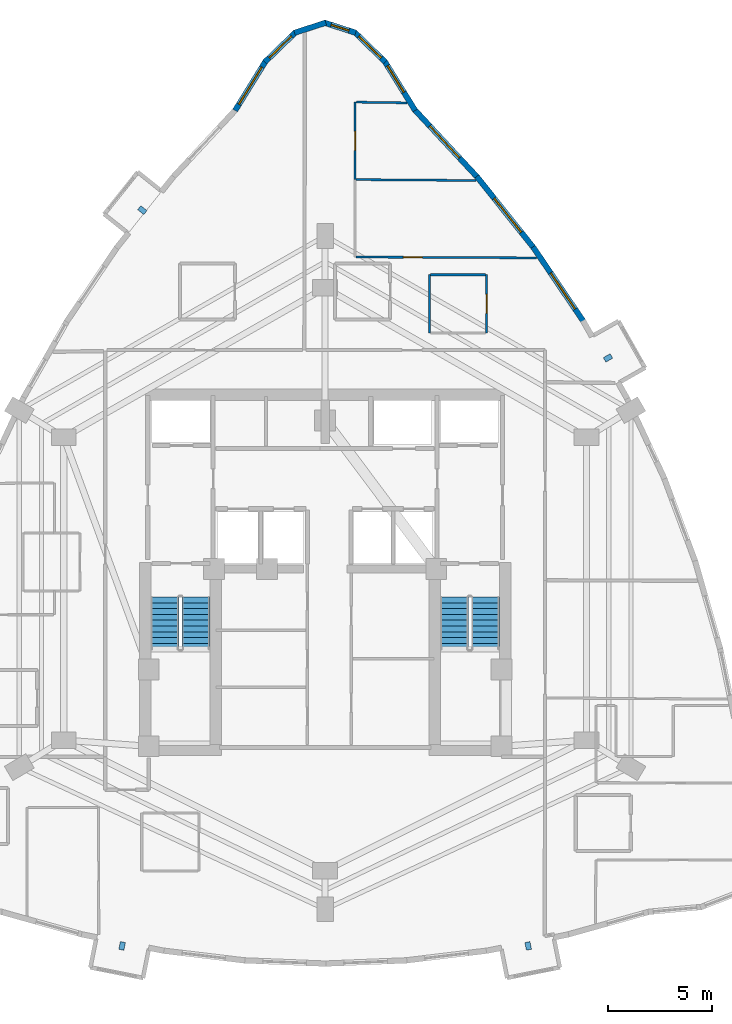
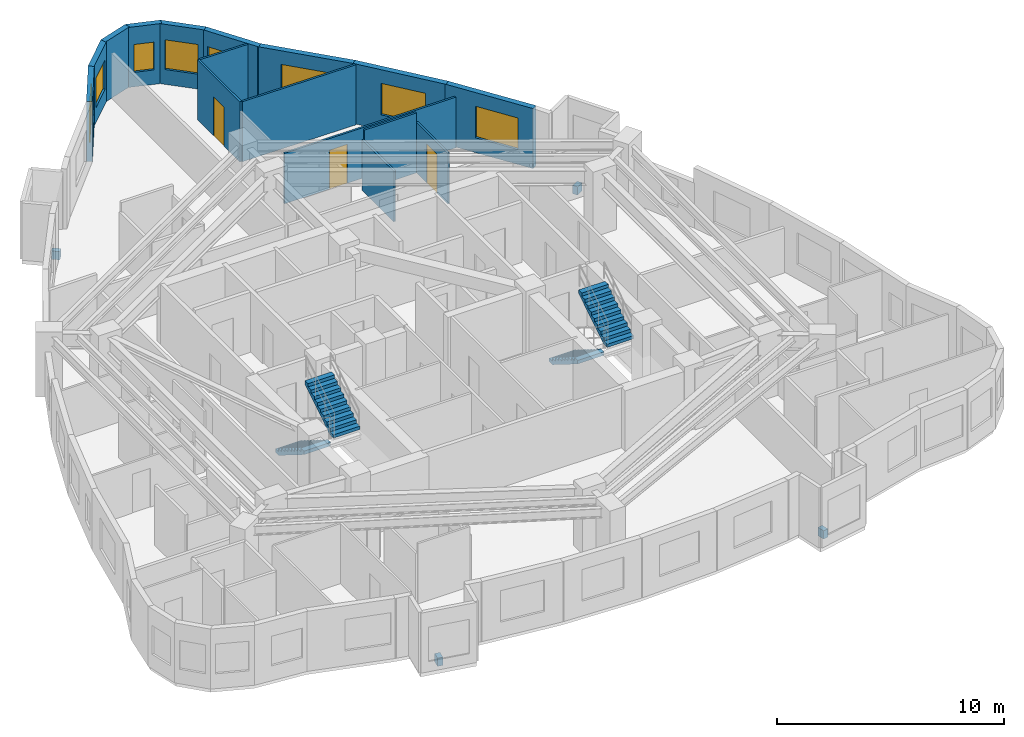
# One storey, part 10 of 11: 16 walls, 8 windows, 4 discrete accessories, 4 stair flights, 3 doors, 11 openings, 2 elements without a shape of their own.
"""IFC4 building model written with IfcOpenShell, lengths in metres."""

import ifcopenshell
import ifcopenshell.guid

model = None  # the IFC model being written
_history = None  # IfcOwnerHistory: only IFC2X3 demands one
_inside = {}  # id of a spatial element -> (the spatial element, [elements in it])
_under = {}  # id of a project, library or spatial element -> (it, [spatial elements below it])
_declared = {}  # id of a project -> (the project, [libraries it declares])
_typed = {}  # id of a type object -> (the type object, [elements of that type])
_made_of = {}  # id of a material, layer set ... -> (it, [elements and type objects made of it])


def new_model(schema):
    """Start an empty IFC model of exactly this schema.

    Asked for "IFC4X3", IfcOpenShell would pick the latest addendum, in which some entities
    have other attributes; the version numbers below select the first issue.
    IFC2X3 requires an IfcOwnerHistory on every rooted entity: one is made here for all.
    """
    global model, _history
    if schema == "IFC4X3":
        model = ifcopenshell.file(schema_version=(4, 3, 0, 0))
    else:
        model = ifcopenshell.file(schema=schema)
    _inside.clear()
    _under.clear()
    _declared.clear()
    _typed.clear()
    _made_of.clear()
    _history = None
    if model.schema == "IFC2X3":
        org = make("IfcOrganization", Name="unknown")
        user = make(
            "IfcPersonAndOrganization",
            ThePerson=make("IfcPerson", FamilyName="unknown"),
            TheOrganization=org,
        )
        app = make(
            "IfcApplication",
            ApplicationDeveloper=org,
            Version="unknown",
            ApplicationFullName="unknown",
            ApplicationIdentifier="unknown",
        )
        _history = make(
            "IfcOwnerHistory",
            OwningUser=user,
            OwningApplication=app,
            ChangeAction="ADDED",
            CreationDate=0,
        )
    return model


def make(cls, **values):
    """One entity of the class cls with the attributes given. An attribute that is None is left unset."""
    return model.create_entity(
        cls, **{name: value for name, value in values.items() if value is not None}
    )


def rooted(cls, **values):
    """An entity with a GlobalId (a new one), such as an element, a storey or a relation."""
    return make(cls, GlobalId=ifcopenshell.guid.new(), OwnerHistory=_history, **values)


def si_unit(unit_type, name, prefix=None):
    """IfcSIUnit, for example si_unit("LENGTHUNIT", "METRE", prefix="MILLI")."""
    return make("IfcSIUnit", UnitType=unit_type, Prefix=prefix, Name=name)


def assignment(units):
    """IfcUnitAssignment: the units of a project."""
    return None if units is None else make("IfcUnitAssignment", Units=units)


def point(xyz):
    """IfcCartesianPoint."""
    return None if xyz is None else make("IfcCartesianPoint", Coordinates=xyz)


def direction(xyz):
    """IfcDirection."""
    return None if xyz is None else make("IfcDirection", DirectionRatios=xyz)


def frame(location, z_axis=None, x_axis=None):
    """IfcAxis2Placement3D, a coordinate frame: its origin and axes. An axis left out is left unset."""
    return make(
        "IfcAxis2Placement3D",
        Location=point(location),
        Axis=direction(z_axis),
        RefDirection=direction(x_axis),
    )


def frame_2d(location, x_axis=None):
    """IfcAxis2Placement2D, a coordinate frame in the plane: its origin and x axis."""
    return make(
        "IfcAxis2Placement2D", Location=point(location), RefDirection=direction(x_axis)
    )


def origin():
    """The frame at (0, 0, 0) with its axes left unset."""
    return frame((0.0, 0.0, 0.0))


def origin_2d():
    """The frame at (0, 0) in the plane with its x axis left unset."""
    return frame_2d((0.0, 0.0))


def place(relative_to, where):
    """IfcLocalPlacement: puts the frame where relative to a parent placement (None: the world)."""
    return make(
        "IfcLocalPlacement", PlacementRelTo=relative_to, RelativePlacement=where
    )


def context(
    kind, dimensions, precision=None, world=None, true_north=None, identifier=None
):
    """IfcGeometricRepresentationContext, for example the 3D "Model" context."""
    return make(
        "IfcGeometricRepresentationContext",
        ContextIdentifier=identifier,
        ContextType=kind,
        CoordinateSpaceDimension=dimensions,
        Precision=precision,
        WorldCoordinateSystem=world,
        TrueNorth=true_north,
    )


def subcontext(parent, identifier, kind, view, scale=None):
    """IfcGeometricRepresentationSubContext, for example "Body" below "Model"."""
    return make(
        "IfcGeometricRepresentationSubContext",
        ContextIdentifier=identifier,
        ContextType=kind,
        ParentContext=parent,
        TargetScale=scale,
        TargetView=view,
    )


def project(units=None, contexts=None):
    """IfcProject with its units and contexts."""
    return rooted(
        "IfcProject",
        Name="project",
        RepresentationContexts=contexts,
        UnitsInContext=assignment(units),
    )


def spatial(cls, under=None, at=None, **own):
    """A site, building, storey or space (cls), placed at a placement, below another one or the project."""
    s = rooted(cls, ObjectPlacement=at, **own)
    if under is not None:
        _under.setdefault(under.id(), (under, []))[1].append(s)
    return s


def polyline(points):
    """IfcPolyline through the points."""
    return make("IfcPolyline", Points=[point(p) for p in points])


def profile(cls, at=None, kind="AREA", **sizes):
    """A parametric profile (cls). Its sizes go by their IFC names, for example OverallWidth=200.0."""
    return make(cls, ProfileType=kind, Position=at, **sizes)


def rectangle(**sizes):
    """IfcRectangleProfileDef."""
    return profile("IfcRectangleProfileDef", **sizes)


def outline(outer, holes=None, kind="AREA"):
    """IfcArbitraryClosedProfileDef: a profile drawn as a closed curve; with holes, ...WithVoids."""
    if holes is None:
        return make("IfcArbitraryClosedProfileDef", ProfileType=kind, OuterCurve=outer)
    return make(
        "IfcArbitraryProfileDefWithVoids",
        ProfileType=kind,
        OuterCurve=outer,
        InnerCurves=holes,
    )


def extrude(swept, where, along, depth):
    """IfcExtrudedAreaSolid: the profile swept, set in the frame where, extruded along a direction by depth."""
    return make(
        "IfcExtrudedAreaSolid",
        SweptArea=swept,
        Position=where,
        ExtrudedDirection=direction(along),
        Depth=depth,
    )


def shape(context_of_items, identifier, shape_type, items):
    """IfcShapeRepresentation: the items that make up one representation, for example the "Body"."""
    return make(
        "IfcShapeRepresentation",
        ContextOfItems=context_of_items,
        RepresentationIdentifier=identifier,
        RepresentationType=shape_type,
        Items=items,
    )


def material(Name=None, Category=None):
    """IfcMaterial."""
    return make("IfcMaterial", Name=Name, Category=Category)


def layer(
    of_material, thickness, ventilated=None, Name=None, Category=None, Priority=None
):
    """IfcMaterialLayer: one layer of a wall or slab, of a material (None: an air gap)."""
    return make(
        "IfcMaterialLayer",
        Material=of_material,
        LayerThickness=thickness,
        IsVentilated=ventilated,
        Name=Name,
        Category=Category,
        Priority=Priority,
    )


def layer_set(layers, Name=None):
    """IfcMaterialLayerSet."""
    return make("IfcMaterialLayerSet", MaterialLayers=layers, LayerSetName=Name)


def made_of(thing, what):
    """Note that an element or type object is made of a material, layer set ...; save() writes the relation."""
    if what is not None:
        _made_of.setdefault(what.id(), (what, []))[1].append(thing)
    return thing


def type_object(cls, material=None, **own):
    """A type object (cls), such as IfcWallType, which elements share."""
    return made_of(rooted(cls, **own), material)


def element(
    cls,
    number,
    at=None,
    inside=None,
    cuts=None,
    type_object=None,
    material=None,
    context=None,
    identifier="Body",
    shape_type=None,
    held_by="IfcProductDefinitionShape",
    body=None,
    shapes=None,
    **own,
):
    """One element of the class cls, such as IfcWall. Its Tag is "e" and its number.

    at: its placement. inside: the storey or other place that contains it. cuts: it is an
    opening in that element (IfcRelVoidsElement). A single representation is given by context,
    identifier, shape_type and body (its items); several are given by shapes. held_by: the class
    of the entity that holds the representations. save() writes the other relations.
    """
    e = rooted(cls, Tag="e%d" % number, ObjectPlacement=at, **own)
    if body is not None:
        shapes = [shape(context, identifier, shape_type, body)]
    if shapes is not None:
        e.Representation = make(held_by, Representations=shapes)
    if inside is not None:
        _inside.setdefault(inside.id(), (inside, []))[1].append(e)
    if cuts is not None:
        rooted(
            "IfcRelVoidsElement", RelatingBuildingElement=cuts, RelatedOpeningElement=e
        )
    if type_object is not None:
        _typed.setdefault(type_object.id(), (type_object, []))[1].append(e)
    return made_of(e, material)


def fill(opening, filler):
    """IfcRelFillsElement: the door or window that sits in an opening."""
    return rooted(
        "IfcRelFillsElement",
        RelatingOpeningElement=opening,
        RelatedBuildingElement=filler,
    )


def aggregate(whole, parts):
    """IfcRelAggregates: a whole, such as a stair, and the parts it consists of."""
    return rooted("IfcRelAggregates", RelatingObject=whole, RelatedObjects=parts)


def save(model, path):
    """Write the relations noted so far, then the file.

    IfcRelAggregates (storeys below a building ...), IfcRelContainedInSpatialStructure (elements
    in a storey), IfcRelDefinesByType, IfcRelAssociatesMaterial and IfcRelDeclares: one each for
    every whole, place, type object, material and project.
    """
    for whole, parts in _under.values():
        aggregate(whole, parts)
    for where, things in _inside.values():
        rooted(
            "IfcRelContainedInSpatialStructure",
            RelatedElements=things,
            RelatingStructure=where,
        )
    for kind, things in _typed.values():
        rooted("IfcRelDefinesByType", RelatedObjects=things, RelatingType=kind)
    for what, things in _made_of.values():
        rooted("IfcRelAssociatesMaterial", RelatedObjects=things, RelatingMaterial=what)
    for by, libraries in _declared.values():
        rooted("IfcRelDeclares", RelatingContext=by, RelatedDefinitions=libraries)
    model.write(path)


model = new_model("IFC4")

# Units and contexts
model_context = context("Model", 3, precision=1e-05, world=origin(), true_north=direction((0.0, 1.0)))
body_context = subcontext(model_context, "Body", "Model", "MODEL_VIEW")
ifc_project = project(units=[si_unit("LENGTHUNIT", "METRE"), si_unit("AREAUNIT", "SQUARE_METRE"), si_unit("VOLUMEUNIT", "CUBIC_METRE"), si_unit("PLANEANGLEUNIT", "RADIAN"), si_unit("MASSUNIT", "GRAM", prefix="KILO")], contexts=[model_context])

# Site, building, storey
site_placement = place(None, origin())
site = spatial("IfcSite", under=ifc_project, at=site_placement, CompositionType="ELEMENT")
building_placement = place(site_placement, origin())
building = spatial("IfcBuilding", under=site, at=building_placement, Name="Miruveldt Soraemaru", CompositionType="ELEMENT")
storey_placement = place(building_placement, frame((0.0, 0.0, 159.89990234375)))
storey = spatial("IfcBuildingStorey", under=building, at=storey_placement, Name="L44", CompositionType="ELEMENT", Elevation=159.89990234375)

# Wall, opening, window
ifc_material_1 = material(Name="Precast concrete C45/55 (45 MPa)", Category="concrete")
ifc_layer_1 = layer(ifc_material_1, 0.27001953125, Name="Precast concrete C45/55 (45 MPa)", Category="concrete")
ifc_layer_set_1 = layer_set([ifc_layer_1], Name="Precast concrete C45/55 (45 MPa)")
wall_type_1 = type_object("IfcWallType", Name="WALL-EXT-PC270", PredefinedType="SOLIDWALL", material=ifc_layer_set_1)
wall_1_placement = place(storey_placement, frame((48.339599609375, 66.14794921875, 0.0), z_axis=(0.0, 0.0, 1.0), x_axis=(-0.526109148916, 0.850417052644, 0.0)))
wall_1 = element("IfcWall", 1, at=wall_1_placement, inside=storey, type_object=wall_type_1, Name="L44 Precast Concrete Facade Wall 1", PredefinedType="SOLIDWALL", context=body_context, shape_type="SweptSolid", body=[
    extrude(rectangle(XDim=2.807861328125, YDim=0.27001953125, at=frame_2d((1.40380859375, 0.0))), origin(), (0.0, 0.0, 1.0), 3.235107421875),
])
opening_1_placement = place(wall_1_placement, frame((1.035888671875, 0.0, 0.800048828125)))
opening_1 = element("IfcOpeningElement", 2, at=opening_1_placement, cuts=wall_1, Name="Opening WN-3", PredefinedType="OPENING", context=body_context, shape_type="SweptSolid", body=[
    extrude(rectangle(XDim=1.5, YDim=1.60009765625, at=frame_2d((0.75, 0.800048828125))), frame((0.0, 0.14501953125, 0.0), z_axis=(0.0, -1.0, 0.0), x_axis=(1.0, 0.0, 0.0)), (0.0, 0.0, 1.0), 0.2900390625),
])
ifc_material_2 = material(Name="Triple low-e insulated glazing", Category="glass")
window_type_1 = type_object("IfcWindowType", Name="WIN-PUNCH-1500x1600", PartitioningType="SINGLE_PANEL", PredefinedType="WINDOW", material=ifc_material_2)
window_1_placement = place(opening_1_placement, origin())
window_1 = element("IfcWindow", 3, at=window_1_placement, inside=storey, type_object=window_type_1, Name="L44 Punched Triple-Glazed Window 01.1", OverallHeight=1.60009765625, OverallWidth=1.5, PartitioningType="SINGLE_PANEL", PredefinedType="WINDOW", context=body_context, shape_type="SweptSolid", body=[
    extrude(rectangle(XDim=1.5, YDim=1.60009765625, at=frame_2d((0.75, 0.800048828125))), frame((0.0, 0.030029296875, 0.0), z_axis=(0.0, -1.0, 0.0), x_axis=(1.0, 0.0, 0.0)), (0.0, 0.0, 1.0), 0.06005859375),
])
fill(opening_1, window_1)

wall_2_placement = place(storey_placement, frame((46.906005859375, 68.481689453125, 0.0), z_axis=(0.0, 0.0, 1.0), x_axis=(-0.71778110487, 0.696268831337, 0.0)))
wall_2 = element("IfcWall", 4, at=wall_2_placement, inside=storey, type_object=wall_type_1, Name="L44 Precast Concrete Facade Wall 2", PredefinedType="SOLIDWALL", context=body_context, shape_type="SweptSolid", body=[
    extrude(rectangle(XDim=2.076904296875, YDim=0.27001953125, at=frame_2d((1.03857421875, 0.0))), origin(), (0.0, 0.0, 1.0), 3.235107421875),
])
opening_2_placement = place(wall_2_placement, frame((0.2880859375, 0.0, 0.800048828125)))
opening_2 = element("IfcOpeningElement", 5, at=opening_2_placement, cuts=wall_2, Name="Opening WN-3", PredefinedType="OPENING", context=body_context, shape_type="SweptSolid", body=[
    extrude(rectangle(XDim=1.5, YDim=1.60009765625, at=frame_2d((0.75, 0.800048828125))), frame((0.0, 0.14501953125, 0.0), z_axis=(0.0, -1.0, 0.0), x_axis=(1.0, 0.0, 0.0)), (0.0, 0.0, 1.0), 0.2900390625),
])
window_2_placement = place(opening_2_placement, origin())
window_2 = element("IfcWindow", 6, at=window_2_placement, inside=storey, type_object=window_type_1, Name="L44 Punched Triple-Glazed Window 02.1", OverallHeight=1.60009765625, OverallWidth=1.5, PartitioningType="SINGLE_PANEL", PredefinedType="WINDOW", context=body_context, shape_type="SweptSolid", body=[
    extrude(rectangle(XDim=1.5, YDim=1.60009765625, at=frame_2d((0.75, 0.800048828125))), frame((0.0, 0.030029296875, 0.0), z_axis=(0.0, -1.0, 0.0), x_axis=(1.0, 0.0, 0.0)), (0.0, 0.0, 1.0), 0.06005859375),
])
fill(opening_2, window_2)

wall_3_placement = place(storey_placement, frame((45.4736328125, 69.892578125, 0.0), z_axis=(0.0, 0.0, 1.0), x_axis=(-0.95148169375, 0.307705356566, 0.0)))
wall_3 = element("IfcWall", 7, at=wall_3_placement, inside=storey, type_object=wall_type_1, Name="L44 Precast Concrete Facade Wall 3", PredefinedType="SOLIDWALL", context=body_context, shape_type="SweptSolid", body=[
    extrude(rectangle(XDim=1.583740234375, YDim=0.27001953125, at=frame_2d((0.7919921875, 0.0))), origin(), (0.0, 0.0, 1.0), 3.235107421875),
])
opening_3_placement = place(wall_3_placement, frame((0.342041015625, 0.0, 0.780029296875)))
opening_3 = element("IfcOpeningElement", 8, at=opening_3_placement, cuts=wall_3, Name="Opening WN-7", PredefinedType="OPENING", context=body_context, shape_type="SweptSolid", body=[
    extrude(rectangle(XDim=0.89990234375, YDim=1.5, at=frame_2d((0.449951171875, 0.75))), frame((0.0, 0.14501953125, 0.0), z_axis=(0.0, -1.0, 0.0), x_axis=(1.0, 0.0, 0.0)), (0.0, 0.0, 1.0), 0.2900390625),
])
window_type_2 = type_object("IfcWindowType", Name="WIN-PUNCH-900x1500", PartitioningType="SINGLE_PANEL", PredefinedType="WINDOW", material=ifc_material_2)
window_3_placement = place(opening_3_placement, origin())
window_3 = element("IfcWindow", 9, at=window_3_placement, inside=storey, type_object=window_type_2, Name="L44 Punched Triple-Glazed Window 03.1", OverallHeight=1.5, OverallWidth=0.89990234375, PartitioningType="SINGLE_PANEL", PredefinedType="WINDOW", context=body_context, shape_type="SweptSolid", body=[
    extrude(rectangle(XDim=0.89990234375, YDim=1.5, at=frame_2d((0.449951171875, 0.75))), frame((0.0, 0.030029296875, 0.0), z_axis=(0.0, -1.0, 0.0), x_axis=(1.0, 0.0, 0.0)), (0.0, 0.0, 1.0), 0.06005859375),
])
fill(opening_3, window_3)

# Wall
wall_4_placement = place(storey_placement, frame((44.033203125, 70.3798828125, 0.0), z_axis=(0.0, 0.0, 1.0), x_axis=(-0.95148169375, -0.307705356566, 0.0)))
element("IfcWall", 10, at=wall_4_placement, inside=storey, type_object=wall_type_1, Name="L44 Precast Concrete Facade Wall 4", PredefinedType="SOLIDWALL", context=body_context, shape_type="SweptSolid", body=[
    extrude(rectangle(XDim=1.583740234375, YDim=0.27001953125, at=frame_2d((0.7919921875, 0.0))), origin(), (0.0, 0.0, 1.0), 3.235107421875),
])

# Wall, opening, window
wall_5_placement = place(storey_placement, frame((42.584716796875, 69.927734375, 0.0), z_axis=(0.0, 0.0, 1.0), x_axis=(-0.71778110487, -0.696268831337, 0.0)))
wall_5 = element("IfcWall", 11, at=wall_5_placement, inside=storey, type_object=wall_type_1, Name="L44 Precast Concrete Facade Wall 5", PredefinedType="SOLIDWALL", context=body_context, shape_type="SweptSolid", body=[
    extrude(rectangle(XDim=2.076904296875, YDim=0.27001953125, at=frame_2d((1.03857421875, 0.0))), origin(), (0.0, 0.0, 1.0), 3.235107421875),
])
opening_4_placement = place(wall_5_placement, frame((0.2880859375, 0.0, 0.800048828125)))
opening_4 = element("IfcOpeningElement", 12, at=opening_4_placement, cuts=wall_5, Name="Opening WN-3", PredefinedType="OPENING", context=body_context, shape_type="SweptSolid", body=[
    extrude(rectangle(XDim=1.5, YDim=1.60009765625, at=frame_2d((0.75, 0.800048828125))), frame((0.0, 0.14501953125, 0.0), z_axis=(0.0, -1.0, 0.0), x_axis=(1.0, 0.0, 0.0)), (0.0, 0.0, 1.0), 0.2900390625),
])
window_4_placement = place(opening_4_placement, origin())
window_4 = element("IfcWindow", 13, at=window_4_placement, inside=storey, type_object=window_type_1, Name="L44 Punched Triple-Glazed Window 05.1", OverallHeight=1.60009765625, OverallWidth=1.5, PartitioningType="SINGLE_PANEL", PredefinedType="WINDOW", context=body_context, shape_type="SweptSolid", body=[
    extrude(rectangle(XDim=1.5, YDim=1.60009765625, at=frame_2d((0.75, 0.800048828125))), frame((0.0, 0.030029296875, 0.0), z_axis=(0.0, -1.0, 0.0), x_axis=(1.0, 0.0, 0.0)), (0.0, 0.0, 1.0), 0.06005859375),
])
fill(opening_4, window_4)

wall_6_placement = place(storey_placement, frame((41.1376953125, 68.535888671875, 0.0), z_axis=(0.0, 0.0, 1.0), x_axis=(-0.526109148916, -0.850417052644, 0.0)))
wall_6 = element("IfcWall", 14, at=wall_6_placement, inside=storey, type_object=wall_type_1, Name="L44 Precast Concrete Facade Wall 6", PredefinedType="SOLIDWALL", context=body_context, shape_type="SweptSolid", body=[
    extrude(rectangle(XDim=2.807861328125, YDim=0.27001953125, at=frame_2d((1.40380859375, 0.0))), origin(), (0.0, 0.0, 1.0), 3.235107421875),
])
opening_5_placement = place(wall_6_placement, frame((0.35400390625, 0.0, 0.800048828125)))
opening_5 = element("IfcOpeningElement", 15, at=opening_5_placement, cuts=wall_6, Name="Opening WN-1", PredefinedType="OPENING", context=body_context, shape_type="SweptSolid", body=[
    extrude(rectangle(XDim=2.10009765625, YDim=1.699951171875, at=frame_2d((1.050048828125, 0.85009765625))), frame((0.0, 0.14501953125, 0.0), z_axis=(0.0, -1.0, 0.0), x_axis=(1.0, 0.0, 0.0)), (0.0, 0.0, 1.0), 0.2900390625),
])
window_type_3 = type_object("IfcWindowType", Name="WIN-PUNCH-2100x1700", PartitioningType="SINGLE_PANEL", PredefinedType="WINDOW", material=ifc_material_2)
window_5_placement = place(opening_5_placement, origin())
window_5 = element("IfcWindow", 16, at=window_5_placement, inside=storey, type_object=window_type_3, Name="L44 Punched Triple-Glazed Window 06.1", OverallHeight=1.699951171875, OverallWidth=2.10009765625, PartitioningType="SINGLE_PANEL", PredefinedType="WINDOW", context=body_context, shape_type="SweptSolid", body=[
    extrude(rectangle(XDim=2.10009765625, YDim=1.699951171875, at=frame_2d((1.050048828125, 0.85009765625))), frame((0.0, 0.030029296875, 0.0), z_axis=(0.0, -1.0, 0.0), x_axis=(1.0, 0.0, 0.0)), (0.0, 0.0, 1.0), 0.06005859375),
])
fill(opening_5, window_5)

wall_7_placement = place(storey_placement, frame((56.4638671875, 55.966064453125, 0.0), z_axis=(0.0, 0.0, 1.0), x_axis=(-0.560825848464, 0.827933794271, 0.0)))
wall_7 = element("IfcWall", 17, at=wall_7_placement, inside=storey, type_object=wall_type_1, Name="L44 Precast Concrete Facade Wall 40", PredefinedType="SOLIDWALL", context=body_context, shape_type="SweptSolid", body=[
    extrude(rectangle(XDim=4.35791015625, YDim=0.27001953125, at=frame_2d((2.178955078125, 0.0))), origin(), (0.0, 0.0, 1.0), 3.235107421875),
])
opening_6_placement = place(wall_7_placement, frame((0.739013671875, 0.0, 0.800048828125)))
opening_6 = element("IfcOpeningElement", 18, at=opening_6_placement, cuts=wall_7, Name="Opening WN-1", PredefinedType="OPENING", context=body_context, shape_type="SweptSolid", body=[
    extrude(rectangle(XDim=2.10009765625, YDim=1.699951171875, at=frame_2d((1.050048828125, 0.85009765625))), frame((0.0, 0.14501953125, 0.0), z_axis=(0.0, -1.0, 0.0), x_axis=(1.0, 0.0, 0.0)), (0.0, 0.0, 1.0), 0.2900390625),
])
window_6_placement = place(opening_6_placement, origin())
window_6 = element("IfcWindow", 19, at=window_6_placement, inside=storey, type_object=window_type_3, Name="L44 Punched Triple-Glazed Window 40.1", OverallHeight=1.699951171875, OverallWidth=2.10009765625, PartitioningType="SINGLE_PANEL", PredefinedType="WINDOW", context=body_context, shape_type="SweptSolid", body=[
    extrude(rectangle(XDim=2.10009765625, YDim=1.699951171875, at=frame_2d((1.050048828125, 0.85009765625))), frame((0.0, 0.030029296875, 0.0), z_axis=(0.0, -1.0, 0.0), x_axis=(1.0, 0.0, 0.0)), (0.0, 0.0, 1.0), 0.06005859375),
])
fill(opening_6, window_6)

wall_8_placement = place(storey_placement, frame((54.06103515625, 59.517822265625, 0.0), z_axis=(0.0, 0.0, 1.0), x_axis=(-0.623594433012, 0.781748030452, 0.0)))
wall_8 = element("IfcWall", 20, at=wall_8_placement, inside=storey, type_object=wall_type_1, Name="L44 Precast Concrete Facade Wall 41", PredefinedType="SOLIDWALL", context=body_context, shape_type="SweptSolid", body=[
    extrude(rectangle(XDim=4.411865234375, YDim=0.27001953125, at=frame_2d((2.2060546875, 0.0))), origin(), (0.0, 0.0, 1.0), 3.235107421875),
])
opening_7_placement = place(wall_8_placement, frame((0.971923828125, 0.0, 0.800048828125)))
opening_7 = element("IfcOpeningElement", 21, at=opening_7_placement, cuts=wall_8, Name="Opening WN-1", PredefinedType="OPENING", context=body_context, shape_type="SweptSolid", body=[
    extrude(rectangle(XDim=2.10009765625, YDim=1.699951171875, at=frame_2d((1.050048828125, 0.85009765625))), frame((0.0, 0.14501953125, 0.0), z_axis=(0.0, -1.0, 0.0), x_axis=(1.0, 0.0, 0.0)), (0.0, 0.0, 1.0), 0.2900390625),
])
window_7_placement = place(opening_7_placement, origin())
window_7 = element("IfcWindow", 22, at=window_7_placement, inside=storey, type_object=window_type_3, Name="L44 Punched Triple-Glazed Window 41.1", OverallHeight=1.699951171875, OverallWidth=2.10009765625, PartitioningType="SINGLE_PANEL", PredefinedType="WINDOW", context=body_context, shape_type="SweptSolid", body=[
    extrude(rectangle(XDim=2.10009765625, YDim=1.699951171875, at=frame_2d((1.050048828125, 0.85009765625))), frame((0.0, 0.030029296875, 0.0), z_axis=(0.0, -1.0, 0.0), x_axis=(1.0, 0.0, 0.0)), (0.0, 0.0, 1.0), 0.06005859375),
])
fill(opening_7, window_7)

wall_9_placement = place(storey_placement, frame((51.35546875, 62.913818359375, 0.0), z_axis=(0.0, 0.0, 1.0), x_axis=(-0.680872139793, 0.732402300142, 0.0)))
wall_9 = element("IfcWall", 23, at=wall_9_placement, inside=storey, type_object=wall_type_1, Name="L44 Precast Concrete Facade Wall 42", PredefinedType="SOLIDWALL", context=body_context, shape_type="SweptSolid", body=[
    extrude(rectangle(XDim=4.491455078125, YDim=0.27001953125, at=frame_2d((2.24560546875, 0.0))), origin(), (0.0, 0.0, 1.0), 3.235107421875),
])
opening_8_placement = place(wall_9_placement, frame((1.291015625, 0.0, 0.800048828125)))
opening_8 = element("IfcOpeningElement", 24, at=opening_8_placement, cuts=wall_9, Name="Opening WN-1", PredefinedType="OPENING", context=body_context, shape_type="SweptSolid", body=[
    extrude(rectangle(XDim=2.10009765625, YDim=1.699951171875, at=frame_2d((1.050048828125, 0.85009765625))), frame((0.0, 0.14501953125, 0.0), z_axis=(0.0, -1.0, 0.0), x_axis=(1.0, 0.0, 0.0)), (0.0, 0.0, 1.0), 0.2900390625),
])
window_8_placement = place(opening_8_placement, origin())
window_8 = element("IfcWindow", 25, at=window_8_placement, inside=storey, type_object=window_type_3, Name="L44 Punched Triple-Glazed Window 42.1", OverallHeight=1.699951171875, OverallWidth=2.10009765625, PartitioningType="SINGLE_PANEL", PredefinedType="WINDOW", context=body_context, shape_type="SweptSolid", body=[
    extrude(rectangle(XDim=2.10009765625, YDim=1.699951171875, at=frame_2d((1.050048828125, 0.85009765625))), frame((0.0, 0.030029296875, 0.0), z_axis=(0.0, -1.0, 0.0), x_axis=(1.0, 0.0, 0.0)), (0.0, 0.0, 1.0), 0.06005859375),
])
fill(opening_8, window_8)

# Wall, opening, door
ifc_material_3 = material(Name="Gypsum plasterboard lining", Category="gypsum")
ifc_layer_2 = layer(ifc_material_3, 0.10009765625, Name="Gypsum plasterboard lining", Category="gypsum")
ifc_layer_set_2 = layer_set([ifc_layer_2], Name="Gypsum plasterboard lining")
wall_type_2 = type_object("IfcWallType", Name="WALL-INT-P100", PredefinedType="PARTITIONING", material=ifc_layer_set_2)
wall_10_placement = place(storey_placement, frame((54.197998046875, 59.04296875, 0.0), z_axis=(0.0, 0.0, 1.0), x_axis=(-0.99998991572, 0.004490930657, 0.0)))
wall_10 = element("IfcWall", 26, at=wall_10_placement, inside=storey, type_object=wall_type_2, Name="L44 Partition Wall 25", PredefinedType="PARTITIONING", context=body_context, shape_type="SweptSolid", body=[
    extrude(rectangle(XDim=8.697998046875, YDim=0.10009765625, at=frame_2d((4.34912109375, 0.0))), origin(), (0.0, 0.0, 1.0), 2.72314453125),
])
opening_9_placement = place(wall_10_placement, frame((5.509033203125, 0.0, 0.0)))
opening_9 = element("IfcOpeningElement", 27, at=opening_9_placement, cuts=wall_10, Name="Opening D3A", PredefinedType="OPENING", context=body_context, shape_type="SweptSolid", body=[
    extrude(rectangle(XDim=0.919921875, YDim=2.10009765625, at=frame_2d((0.4599609375, 1.050048828125))), frame((0.0, 0.06005859375, 0.0), z_axis=(0.0, -1.0, 0.0), x_axis=(1.0, 0.0, 0.0)), (0.0, 0.0, 1.0), 0.1201171875),
])
ifc_material_4 = material(Name="Anodised aluminium EN AW-6063 T6", Category="aluminium")
door_type = type_object("IfcDoorType", Name="DOOR-INT-920", OperationType="NOTDEFINED", PredefinedType="DOOR", material=ifc_material_4)
door_1_placement = place(opening_9_placement, origin())
door_1 = element("IfcDoor", 28, at=door_1_placement, inside=storey, type_object=door_type, Name="L44 Unit 4402 BD1 Door", OperationType="SINGLE_SWING_LEFT", OverallHeight=2.10009765625, OverallWidth=0.919921875, PredefinedType="DOOR", context=body_context, shape_type="SweptSolid", body=[
    extrude(rectangle(XDim=0.919921875, YDim=2.10009765625, at=frame_2d((0.4599609375, 1.050048828125))), frame((0.0, 0.02490234375, 0.0), z_axis=(0.0, -1.0, 0.0), x_axis=(1.0, 0.0, 0.0)), (0.0, 0.0, 1.0), 0.050048828125),
])
fill(opening_9, door_1)

wall_11_placement = place(storey_placement, frame((45.449951171875, 62.81591796875, 0.0), z_axis=(0.0, 0.0, 1.0), x_axis=(0.0, 1.0, 0.0)))
wall_11 = element("IfcWall", 29, at=wall_11_placement, inside=storey, type_object=wall_type_2, Name="L44 Partition Wall 27", PredefinedType="PARTITIONING", context=body_context, shape_type="SweptSolid", body=[
    extrude(rectangle(XDim=3.735107421875, YDim=0.10009765625, at=frame_2d((1.86767578125, 0.0))), origin(), (0.0, 0.0, 1.0), 3.235107421875),
])
opening_10_placement = place(wall_11_placement, frame((1.406982421875, 0.0, 0.0)))
opening_10 = element("IfcOpeningElement", 30, at=opening_10_placement, cuts=wall_11, Name="Opening D3A", PredefinedType="OPENING", context=body_context, shape_type="SweptSolid", body=[
    extrude(rectangle(XDim=0.919921875, YDim=2.10009765625, at=frame_2d((0.4599609375, 1.050048828125))), frame((0.0, 0.06005859375, 0.0), z_axis=(0.0, -1.0, 0.0), x_axis=(1.0, 0.0, 0.0)), (0.0, 0.0, 1.0), 0.1201171875),
])
door_2_placement = place(opening_10_placement, origin())
door_2 = element("IfcDoor", 31, at=door_2_placement, inside=storey, type_object=door_type, Name="L44 Unit 4402 BD2 Door", OperationType="SINGLE_SWING_RIGHT", OverallHeight=2.10009765625, OverallWidth=0.919921875, PredefinedType="DOOR", context=body_context, shape_type="SweptSolid", body=[
    extrude(rectangle(XDim=0.919921875, YDim=2.10009765625, at=frame_2d((0.4599609375, 1.050048828125))), frame((0.0, 0.02490234375, 0.0), z_axis=(0.0, -1.0, 0.0), x_axis=(1.0, 0.0, 0.0)), (0.0, 0.0, 1.0), 0.050048828125),
])
fill(opening_10, door_2)

wall_12_placement = place(storey_placement, frame((51.781005859375, 55.429931640625, 0.0), z_axis=(0.0, 0.0, 1.0), x_axis=(0.0, 1.0, 0.0)))
wall_12 = element("IfcWall", 32, at=wall_12_placement, inside=storey, type_object=wall_type_2, Name="L44 Partition Wall 21", PredefinedType="PARTITIONING", context=body_context, shape_type="SweptSolid", body=[
    extrude(rectangle(XDim=2.800048828125, YDim=0.10009765625, at=frame_2d((1.39990234375, 0.0))), origin(), (0.0, 0.0, 1.0), 2.72314453125),
])
opening_11_placement = place(wall_12_placement, frame((0.93994140625, 0.0, 0.0)))
opening_11 = element("IfcOpeningElement", 33, at=opening_11_placement, cuts=wall_12, Name="Opening D3A", PredefinedType="OPENING", context=body_context, shape_type="SweptSolid", body=[
    extrude(rectangle(XDim=0.919921875, YDim=2.10009765625, at=frame_2d((0.4599609375, 1.050048828125))), frame((0.0, 0.06005859375, 0.0), z_axis=(0.0, -1.0, 0.0), x_axis=(1.0, 0.0, 0.0)), (0.0, 0.0, 1.0), 0.1201171875),
])
door_3_placement = place(opening_11_placement, origin())
door_3 = element("IfcDoor", 34, at=door_3_placement, inside=storey, type_object=door_type, Name="L44 Unit 4402 KIT Door", OperationType="SINGLE_SWING_RIGHT", OverallHeight=2.10009765625, OverallWidth=0.919921875, PredefinedType="DOOR", context=body_context, shape_type="SweptSolid", body=[
    extrude(rectangle(XDim=0.919921875, YDim=2.10009765625, at=frame_2d((0.4599609375, 1.050048828125))), frame((0.0, 0.02490234375, 0.0), z_axis=(0.0, -1.0, 0.0), x_axis=(1.0, 0.0, 0.0)), (0.0, 0.0, 1.0), 0.050048828125),
])
fill(opening_11, door_3)

# Walls
wall_13_placement = place(storey_placement, frame((51.27294921875, 62.77197265625, 0.0), z_axis=(0.0, 0.0, 1.0), x_axis=(-0.999971027847, 0.007612060603, 0.0)))
element("IfcWall", 35, at=wall_13_placement, inside=storey, type_object=wall_type_2, Name="L44 Partition Wall 30", PredefinedType="PARTITIONING", context=body_context, shape_type="SweptSolid", body=[
    extrude(rectangle(XDim=5.773193359375, YDim=0.10009765625, at=frame_2d((2.88671875, 0.0))), origin(), (0.0, 0.0, 1.0), 3.235107421875),
])
wall_14_placement = place(storey_placement, frame((49.031005859375, 58.22998046875, 0.0), z_axis=(0.0, 0.0, 1.0), x_axis=(0.0, -1.0, 0.0)))
element("IfcWall", 36, at=wall_14_placement, inside=storey, type_object=wall_type_2, Name="L44 Partition Wall 23", PredefinedType="PARTITIONING", context=body_context, shape_type="SweptSolid", body=[
    extrude(rectangle(XDim=2.800048828125, YDim=0.10009765625, at=frame_2d((1.39990234375, 0.0))), origin(), (0.0, 0.0, 1.0), 2.72314453125),
])
wall_15_placement = place(storey_placement, frame((51.73095703125, 58.22998046875, 0.0), z_axis=(0.0, 0.0, 1.0), x_axis=(-1.0, 0.0, 0.0)))
element("IfcWall", 37, at=wall_15_placement, inside=storey, type_object=wall_type_2, Name="L44 Partition Wall 22", PredefinedType="PARTITIONING", context=body_context, shape_type="SweptSolid", body=[
    extrude(rectangle(XDim=2.64990234375, YDim=0.10009765625, at=frame_2d((1.324951171875, 0.0))), origin(), (0.0, 0.0, 1.0), 3.235107421875),
])
wall_16_placement = place(storey_placement, frame((45.5, 66.550048828125, 0.0), z_axis=(0.0, 0.0, 1.0), x_axis=(0.99989010278, -0.014825058627, 0.0)))
element("IfcWall", 38, at=wall_16_placement, inside=storey, type_object=wall_type_2, Name="L44 Partition Wall 28", PredefinedType="PARTITIONING", context=body_context, shape_type="SweptSolid", body=[
    extrude(rectangle(XDim=2.437255859375, YDim=0.10009765625, at=frame_2d((1.21875, 0.0))), origin(), (0.0, 0.0, 1.0), 3.235107421875),
])

# Stair, stair flights
ifc_material_5 = material(Name="Concrete C40/50 (40 MPa)", Category="concrete")
stair_type = type_object("IfcStairType", Name="STAIR-DL-350", PredefinedType="HALF_TURN_STAIR", material=ifc_material_5)
stair_1_placement = place(storey_placement, origin())
stair_1 = element("IfcStair", 39, at=stair_1_placement, inside=storey, type_object=stair_type, Name="L44 Protected Exit Stair ST-1", PredefinedType="HALF_TURN_STAIR")
stair_flight_type = type_object("IfcStairFlightType", Name="SFL-DL-350", PredefinedType="STRAIGHT", material=ifc_material_5)
stair_flight_1_placement = place(storey_placement, frame((36.27490234375, 42.699951171875, 0.0), z_axis=(0.0, 0.0, 1.0), x_axis=(0.0, -1.0, 0.0)))
stair_flight_1 = element("IfcStairFlight", 40, at=stair_flight_1_placement, type_object=stair_flight_type, Name="ST-1 flight 1", NumberOfRisers=10, NumberOfTreads=9, PredefinedType="STRAIGHT", RiserHeight=0.175, TreadLength=0.28, context=body_context, shape_type="SweptSolid", body=[
    extrude(outline(polyline([(0.0, 0.0), (0.0, 0.175048828125), (0.280029296875, 0.175048828125), (0.280029296875, 0.35009765625), (0.56005859375, 0.35009765625), (0.56005859375, 0.52490234375), (0.840087890625, 0.52490234375), (0.840087890625, 0.699951171875), (1.1201171875, 0.699951171875), (1.1201171875, 0.875), (1.39990234375, 0.875), (1.39990234375, 1.050048828125), (1.679931640625, 1.050048828125), (1.679931640625, 1.22509765625), (1.9599609375, 1.22509765625), (1.9599609375, 1.39990234375), (2.239990234375, 1.39990234375), (2.239990234375, 1.574951171875), (2.52001953125, 1.574951171875), (2.52001953125, 1.75), (2.52001953125, 1.386474609375), (0.3017578125, 0.0), (0.0, 0.0)])), frame((0.0, 0.675048828125, 0.0), z_axis=(0.0, -1.0, 0.0), x_axis=(1.0, 0.0, 0.0)), (0.0, 0.0, 1.0), 1.35009765625),
])
stair_flight_2_placement = place(storey_placement, frame((37.77490234375, 40.179931640625, 1.75), z_axis=(0.0, 0.0, 1.0), x_axis=(0.0, 1.0, 0.0)))
stair_flight_2 = element("IfcStairFlight", 41, at=stair_flight_2_placement, type_object=stair_flight_type, Name="ST-1 flight 2", NumberOfRisers=10, NumberOfTreads=9, PredefinedType="STRAIGHT", RiserHeight=0.175, TreadLength=0.28, context=body_context, shape_type="SweptSolid", body=[
    extrude(outline(polyline([(0.0, 0.0), (0.0, 0.175048828125), (0.280029296875, 0.175048828125), (0.280029296875, 0.35009765625), (0.56005859375, 0.35009765625), (0.56005859375, 0.52490234375), (0.840087890625, 0.52490234375), (0.840087890625, 0.699951171875), (1.1201171875, 0.699951171875), (1.1201171875, 0.875), (1.39990234375, 0.875), (1.39990234375, 1.050048828125), (1.679931640625, 1.050048828125), (1.679931640625, 1.22509765625), (1.9599609375, 1.22509765625), (1.9599609375, 1.39990234375), (2.239990234375, 1.39990234375), (2.239990234375, 1.574951171875), (2.52001953125, 1.574951171875), (2.52001953125, 1.75), (2.52001953125, 1.386474609375), (0.3017578125, 0.0), (0.0, 0.0)])), frame((0.0, 0.675048828125, 0.0), z_axis=(0.0, -1.0, 0.0), x_axis=(1.0, 0.0, 0.0)), (0.0, 0.0, 1.0), 1.35009765625),
])
aggregate(stair_1, [stair_flight_1, stair_flight_2])

stair_2_placement = place(storey_placement, origin())
stair_2 = element("IfcStair", 42, at=stair_2_placement, inside=storey, type_object=stair_type, Name="L44 Protected Exit Stair ST-2", PredefinedType="HALF_TURN_STAIR")
stair_flight_3_placement = place(storey_placement, frame((50.22509765625, 42.699951171875, 0.0), z_axis=(0.0, 0.0, 1.0), x_axis=(0.0, -1.0, 0.0)))
stair_flight_3 = element("IfcStairFlight", 43, at=stair_flight_3_placement, type_object=stair_flight_type, Name="ST-2 flight 1", NumberOfRisers=10, NumberOfTreads=9, PredefinedType="STRAIGHT", RiserHeight=0.175, TreadLength=0.28, context=body_context, shape_type="SweptSolid", body=[
    extrude(outline(polyline([(0.0, 0.0), (0.0, 0.175048828125), (0.280029296875, 0.175048828125), (0.280029296875, 0.35009765625), (0.56005859375, 0.35009765625), (0.56005859375, 0.52490234375), (0.840087890625, 0.52490234375), (0.840087890625, 0.699951171875), (1.1201171875, 0.699951171875), (1.1201171875, 0.875), (1.39990234375, 0.875), (1.39990234375, 1.050048828125), (1.679931640625, 1.050048828125), (1.679931640625, 1.22509765625), (1.9599609375, 1.22509765625), (1.9599609375, 1.39990234375), (2.239990234375, 1.39990234375), (2.239990234375, 1.574951171875), (2.52001953125, 1.574951171875), (2.52001953125, 1.75), (2.52001953125, 1.386474609375), (0.3017578125, 0.0), (0.0, 0.0)])), frame((0.0, 0.675048828125, 0.0), z_axis=(0.0, -1.0, 0.0), x_axis=(1.0, 0.0, 0.0)), (0.0, 0.0, 1.0), 1.35009765625),
])
stair_flight_4_placement = place(storey_placement, frame((51.72509765625, 40.179931640625, 1.75), z_axis=(0.0, 0.0, 1.0), x_axis=(0.0, 1.0, 0.0)))
stair_flight_4 = element("IfcStairFlight", 44, at=stair_flight_4_placement, type_object=stair_flight_type, Name="ST-2 flight 2", NumberOfRisers=10, NumberOfTreads=9, PredefinedType="STRAIGHT", RiserHeight=0.175, TreadLength=0.28, context=body_context, shape_type="SweptSolid", body=[
    extrude(outline(polyline([(0.0, 0.0), (0.0, 0.175048828125), (0.280029296875, 0.175048828125), (0.280029296875, 0.35009765625), (0.56005859375, 0.35009765625), (0.56005859375, 0.52490234375), (0.840087890625, 0.52490234375), (0.840087890625, 0.699951171875), (1.1201171875, 0.699951171875), (1.1201171875, 0.875), (1.39990234375, 0.875), (1.39990234375, 1.050048828125), (1.679931640625, 1.050048828125), (1.679931640625, 1.22509765625), (1.9599609375, 1.22509765625), (1.9599609375, 1.39990234375), (2.239990234375, 1.39990234375), (2.239990234375, 1.574951171875), (2.52001953125, 1.574951171875), (2.52001953125, 1.75), (2.52001953125, 1.386474609375), (0.3017578125, 0.0), (0.0, 0.0)])), frame((0.0, 0.675048828125, 0.0), z_axis=(0.0, -1.0, 0.0), x_axis=(1.0, 0.0, 0.0)), (0.0, 0.0, 1.0), 1.35009765625),
])
aggregate(stair_2, [stair_flight_3, stair_flight_4])

# Discrete accessories
ifc_material_6 = material(Name="Steel SM355 (355 MPa)", Category="steel")
discrete_accessory_type = type_object("IfcDiscreteAccessoryType", Name="ACC-BAY-BRK", PredefinedType="BRACKET", material=ifc_material_6)
for number, where, z_axis, x_axis, name in (
    (45, (34.214599609375, 25.88037109375, -0.7099609375), (0.0, 0.0, 1.0), (-0.19613440513, -0.980577021516, 0.0), "L44 Bay Window Cantilever Bracket 1"),
    (46, (53.785400390625, 25.88037109375, -0.7099609375), (0.0, 0.0, 1.0), (0.19613440513, -0.980577021516, 0.0), "L44 Bay Window Cantilever Bracket 2"),
    (47, (57.634521484375, 54.220703125, -0.7099609375), (0.0, 0.0, 1.0), (0.869830943614, 0.493349905778, 0.0), "L44 Bay Window Cantilever Bracket 3"),
    (48, (35.189453125, 61.34228515625, -0.7099609375), (0.0, 0.0, 1.0), (-0.781727315753, 0.623620400408, 0.0), "L44 Bay Window Cantilever Bracket 4"),
):
    element("IfcDiscreteAccessory", number, at=place(storey_placement, frame(where, z_axis=z_axis, x_axis=x_axis)), inside=storey, type_object=discrete_accessory_type, Name=name, PredefinedType="BRACKET", context=body_context, shape_type="SweptSolid", body=[
        extrude(rectangle(XDim=0.3798828125, YDim=0.25, at=origin_2d()), origin(), (0.0, 0.0, 1.0), 0.449951171875),
    ])

save(model, "model.ifc")
